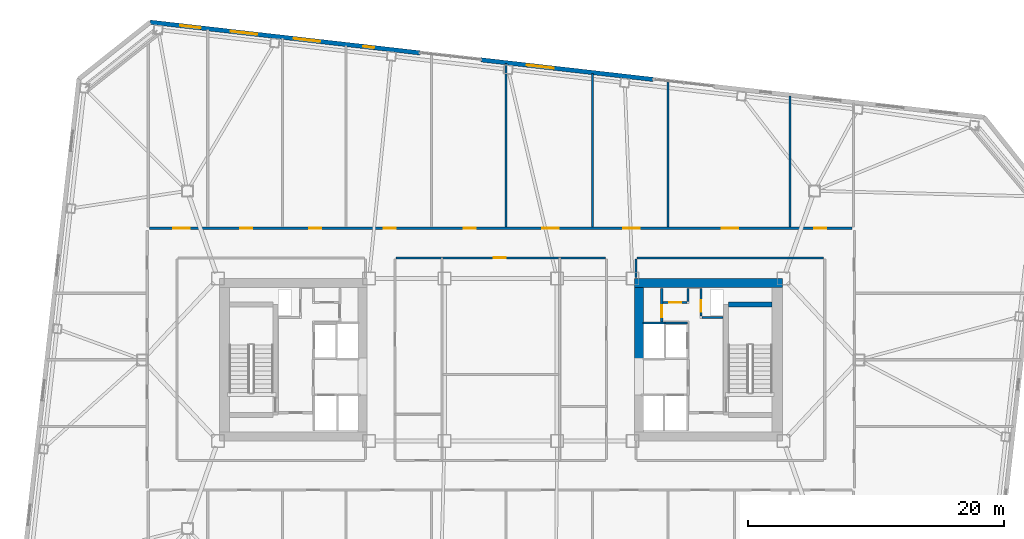
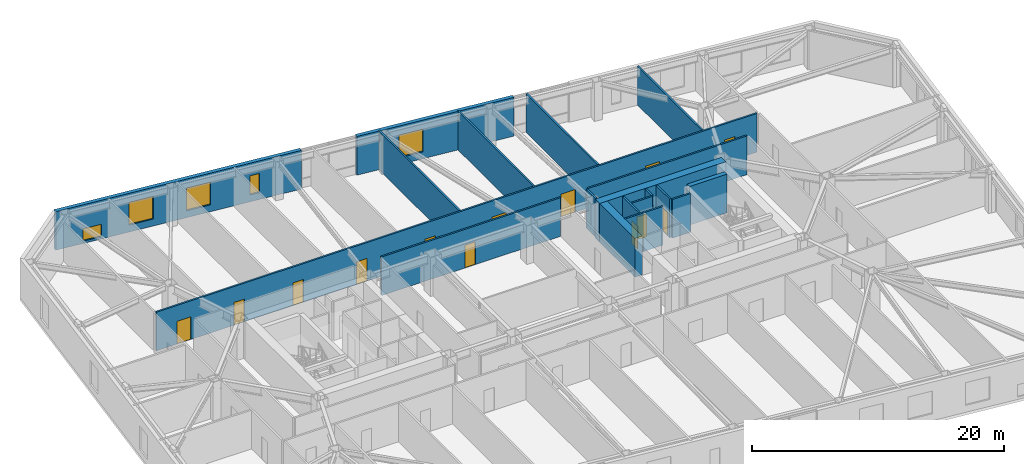
# One storey, part 14 of 21: 20 walls, 13 doors, 5 windows, 18 openings.
"""IFC4 building model written with IfcOpenShell, lengths in metres."""

from ifc_helpers import new_model, si_unit, direction, frame, frame_2d, origin, place, context, subcontext, project, spatial, rectangle, extrude, material, layer, layer_set, type_object, element, fill, save


model = new_model("IFC4")

# Units and contexts
model_context = context("Model", 3, precision=1e-05, world=origin(), true_north=direction((0.0, 1.0)))
body_context = subcontext(model_context, "Body", "Model", "MODEL_VIEW")
ifc_project = project(units=[si_unit("LENGTHUNIT", "METRE"), si_unit("AREAUNIT", "SQUARE_METRE"), si_unit("VOLUMEUNIT", "CUBIC_METRE"), si_unit("PLANEANGLEUNIT", "RADIAN"), si_unit("MASSUNIT", "GRAM", prefix="KILO")], contexts=[model_context])

# Site, building, storey
site_placement = place(None, origin())
site = spatial("IfcSite", under=ifc_project, at=site_placement, CompositionType="ELEMENT")
building_placement = place(site_placement, origin())
building = spatial("IfcBuilding", under=site, at=building_placement, Name="Tavrogorsk Clinical Tower", CompositionType="ELEMENT")
storey_placement = place(building_placement, frame((0.0, 0.0, 137.39990234375)))
storey = spatial("IfcBuildingStorey", under=building, at=storey_placement, Name="L31", CompositionType="ELEMENT", Elevation=137.39990234375)

# Wall, opening, door
ifc_material_1 = material(Name="Lightweight concrete blockwork B15", Category="masonry")
ifc_layer_1 = layer(ifc_material_1, 0.159912109375)
ifc_layer_set_1 = layer_set([ifc_layer_1], Name="Lightweight concrete blockwork B15")
wall_type_1 = type_object("IfcWallType", Name="PartitionWall_160", PredefinedType="PARTITIONING", material=ifc_layer_set_1)
wall_1_placement = place(storey_placement, frame((12.580078125, 2.9599609375, 0.0), z_axis=(0.0, 0.0, 1.0), x_axis=(0.0, 1.0, 0.0)))
wall_1 = element("IfcWall", 1, at=wall_1_placement, inside=storey, type_object=wall_type_1, Name="L31 Core East Linen Closet Wall", PredefinedType="PARTITIONING", context=body_context, shape_type="SweptSolid", body=[
    extrude(rectangle(XDim=2.60009765625, YDim=0.159912109375, at=frame_2d((1.300048828125, 0.0))), origin(), (0.0, 0.0, 1.0), 3.739990234375),
])
opening_1_placement = place(wall_1_placement, frame((0.35009765625, 0.0, 0.0)))
opening_1 = element("IfcOpeningElement", 2, at=opening_1_placement, cuts=wall_1, Name="Opening ID-02", PredefinedType="OPENING", context=body_context, shape_type="SweptSolid", body=[
    extrude(rectangle(XDim=0.949951171875, YDim=2.199951171875, at=frame_2d((0.47509765625, 1.10009765625))), frame((0.0, 0.08984375, 0.0), z_axis=(0.0, -1.0, 0.0), x_axis=(1.0, 0.0, 0.0)), (0.0, 0.0, 1.0), 0.179931640625),
])
ifc_material_2 = material(Name="Laminated timber leaf on aluminium frame", Category="wood")
door_type_1 = type_object("IfcDoorType", Name="InteriorDoor_ID02_950", OperationType="NOTDEFINED", PredefinedType="DOOR", material=ifc_material_2)
door_1_placement = place(opening_1_placement, origin())
door_1 = element("IfcDoor", 3, at=door_1_placement, inside=storey, type_object=door_type_1, Name="L31 Core East Linen Closet Door", OperationType="SINGLE_SWING_RIGHT", OverallHeight=2.199951171875, OverallWidth=0.949951171875, PredefinedType="DOOR", context=body_context, shape_type="SweptSolid", body=[
    extrude(rectangle(XDim=0.949951171875, YDim=2.199951171875, at=frame_2d((0.47509765625, 1.10009765625))), frame((0.0, 0.02490234375, 0.0), z_axis=(0.0, -1.0, 0.0), x_axis=(1.0, 0.0, 0.0)), (0.0, 0.0, 1.0), 0.050048828125),
])
fill(opening_1, door_1)

wall_2_placement = place(storey_placement, frame((12.6650390625, 4.47998046875, 0.0), z_axis=(0.0, 0.0, 1.0), x_axis=(1.0, 0.0, 0.0)))
wall_2 = element("IfcWall", 4, at=wall_2_placement, inside=storey, type_object=wall_type_1, Name="L31 Core East Housekeeping South Wall", PredefinedType="PARTITIONING", context=body_context, shape_type="SweptSolid", body=[
    extrude(rectangle(XDim=1.889892578125, YDim=0.159912109375, at=frame_2d((0.94482421875, 0.0))), origin(), (0.0, 0.0, 1.0), 3.739990234375),
])
opening_2_placement = place(wall_2_placement, frame((0.5, 0.0, 0.0)))
opening_2 = element("IfcOpeningElement", 5, at=opening_2_placement, cuts=wall_2, Name="Opening ID-02", PredefinedType="OPENING", context=body_context, shape_type="SweptSolid", body=[
    extrude(rectangle(XDim=0.949951171875, YDim=2.199951171875, at=frame_2d((0.47509765625, 1.10009765625))), frame((0.0, 0.08984375, 0.0), z_axis=(0.0, -1.0, 0.0), x_axis=(1.0, 0.0, 0.0)), (0.0, 0.0, 1.0), 0.179931640625),
])
door_2_placement = place(opening_2_placement, origin())
door_2 = element("IfcDoor", 6, at=door_2_placement, inside=storey, type_object=door_type_1, Name="L31 Core East Housekeeping Closet Door", OperationType="SINGLE_SWING_LEFT", OverallHeight=2.199951171875, OverallWidth=0.949951171875, PredefinedType="DOOR", context=body_context, shape_type="SweptSolid", body=[
    extrude(rectangle(XDim=0.949951171875, YDim=2.199951171875, at=frame_2d((0.47509765625, 1.10009765625))), frame((0.0, 0.02490234375, 0.0), z_axis=(0.0, -1.0, 0.0), x_axis=(1.0, 0.0, 0.0)), (0.0, 0.0, 1.0), 0.050048828125),
])
fill(opening_2, door_2)

# Wall
wall_3_placement = place(storey_placement, frame((14.639892578125, 4.56494140625, 0.0), z_axis=(0.0, 0.0, 1.0), x_axis=(0.0, 1.0, 0.0)))
element("IfcWall", 7, at=wall_3_placement, inside=storey, type_object=wall_type_1, Name="L31 Core East Housekeeping East Wall", PredefinedType="PARTITIONING", context=body_context, shape_type="SweptSolid", body=[
    extrude(rectangle(XDim=0.9951171875, YDim=0.159912109375, at=frame_2d((0.49755859375, 0.0))), origin(), (0.0, 0.0, 1.0), 3.739990234375),
])

# Wall, openings, doors
wall_4_placement = place(storey_placement, frame((-27.465087890625, 10.280029296875, 0.0), z_axis=(0.0, 0.0, 1.0), x_axis=(1.0, 0.0, 0.0)))
wall_4 = element("IfcWall", 8, at=wall_4_placement, inside=storey, type_object=wall_type_1, Name="L31 Corridor Partition 02", PredefinedType="PARTITIONING", context=body_context, shape_type="SweptSolid", body=[
    extrude(rectangle(XDim=54.93017578125, YDim=0.159912109375, at=frame_2d((27.465087890625, 0.0))), origin(), (0.0, 0.0, 1.0), 3.739990234375),
])
opening_3_placement = place(wall_4_placement, frame((1.869140625, 0.0, 0.0)))
opening_3 = element("IfcOpeningElement", 9, at=opening_3_placement, cuts=wall_4, Name="Opening ID-01", PredefinedType="OPENING", context=body_context, shape_type="SweptSolid", body=[
    extrude(rectangle(XDim=1.300048828125, YDim=2.199951171875, at=frame_2d((0.64990234375, 1.10009765625))), frame((0.0, 0.08984375, 0.0), z_axis=(0.0, -1.0, 0.0), x_axis=(1.0, 0.0, 0.0)), (0.0, 0.0, 1.0), 0.179931640625),
])
opening_4_placement = place(wall_4_placement, frame((7.10009765625, 0.0, 0.0)))
opening_4 = element("IfcOpeningElement", 10, at=opening_4_placement, cuts=wall_4, Name="Opening ID-02", PredefinedType="OPENING", context=body_context, shape_type="SweptSolid", body=[
    extrude(rectangle(XDim=0.949951171875, YDim=2.199951171875, at=frame_2d((0.47509765625, 1.10009765625))), frame((0.0, 0.08984375, 0.0), z_axis=(0.0, -1.0, 0.0), x_axis=(1.0, 0.0, 0.0)), (0.0, 0.0, 1.0), 0.179931640625),
])
opening_5_placement = place(wall_4_placement, frame((12.5, 0.0, 0.0)))
opening_5 = element("IfcOpeningElement", 11, at=opening_5_placement, cuts=wall_4, Name="Opening ID-02", PredefinedType="OPENING", context=body_context, shape_type="SweptSolid", body=[
    extrude(rectangle(XDim=0.949951171875, YDim=2.199951171875, at=frame_2d((0.47509765625, 1.10009765625))), frame((0.0, 0.08984375, 0.0), z_axis=(0.0, -1.0, 0.0), x_axis=(1.0, 0.0, 0.0)), (0.0, 0.0, 1.0), 0.179931640625),
])
opening_6_placement = place(wall_4_placement, frame((18.324951171875, 0.0, 0.0)))
opening_6 = element("IfcOpeningElement", 12, at=opening_6_placement, cuts=wall_4, Name="Opening ID-02", PredefinedType="OPENING", context=body_context, shape_type="SweptSolid", body=[
    extrude(rectangle(XDim=0.949951171875, YDim=2.199951171875, at=frame_2d((0.47509765625, 1.10009765625))), frame((0.0, 0.08984375, 0.0), z_axis=(0.0, -1.0, 0.0), x_axis=(1.0, 0.0, 0.0)), (0.0, 0.0, 1.0), 0.179931640625),
])
opening_7_placement = place(wall_4_placement, frame((24.574951171875, 0.0, 0.0)))
opening_7 = element("IfcOpeningElement", 13, at=opening_7_placement, cuts=wall_4, Name="Opening ID-02", PredefinedType="OPENING", context=body_context, shape_type="SweptSolid", body=[
    extrude(rectangle(XDim=0.949951171875, YDim=2.199951171875, at=frame_2d((0.47509765625, 1.10009765625))), frame((0.0, 0.08984375, 0.0), z_axis=(0.0, -1.0, 0.0), x_axis=(1.0, 0.0, 0.0)), (0.0, 0.0, 1.0), 0.179931640625),
])
opening_8_placement = place(wall_4_placement, frame((30.68994140625, 0.0, 0.0)))
opening_8 = element("IfcOpeningElement", 14, at=opening_8_placement, cuts=wall_4, Name="Opening ID-01", PredefinedType="OPENING", context=body_context, shape_type="SweptSolid", body=[
    extrude(rectangle(XDim=1.300048828125, YDim=2.199951171875, at=frame_2d((0.64990234375, 1.10009765625))), frame((0.0, 0.08984375, 0.0), z_axis=(0.0, -1.0, 0.0), x_axis=(1.0, 0.0, 0.0)), (0.0, 0.0, 1.0), 0.179931640625),
])
opening_9_placement = place(wall_4_placement, frame((37.02001953125, 0.0, 0.0)))
opening_9 = element("IfcOpeningElement", 15, at=opening_9_placement, cuts=wall_4, Name="Opening ID-01", PredefinedType="OPENING", context=body_context, shape_type="SweptSolid", body=[
    extrude(rectangle(XDim=1.300048828125, YDim=2.199951171875, at=frame_2d((0.64990234375, 1.10009765625))), frame((0.0, 0.08984375, 0.0), z_axis=(0.0, -1.0, 0.0), x_axis=(1.0, 0.0, 0.0)), (0.0, 0.0, 1.0), 0.179931640625),
])
opening_10_placement = place(wall_4_placement, frame((44.72998046875, 0.0, 0.0)))
opening_10 = element("IfcOpeningElement", 16, at=opening_10_placement, cuts=wall_4, Name="Opening ID-01", PredefinedType="OPENING", context=body_context, shape_type="SweptSolid", body=[
    extrude(rectangle(XDim=1.300048828125, YDim=2.199951171875, at=frame_2d((0.64990234375, 1.10009765625))), frame((0.0, 0.08984375, 0.0), z_axis=(0.0, -1.0, 0.0), x_axis=(1.0, 0.0, 0.0)), (0.0, 0.0, 1.0), 0.179931640625),
])
opening_11_placement = place(wall_4_placement, frame((51.955810546875, 0.0, 0.0)))
opening_11 = element("IfcOpeningElement", 17, at=opening_11_placement, cuts=wall_4, Name="Opening ID-02", PredefinedType="OPENING", context=body_context, shape_type="SweptSolid", body=[
    extrude(rectangle(XDim=0.949951171875, YDim=2.199951171875, at=frame_2d((0.47509765625, 1.10009765625))), frame((0.0, 0.08984375, 0.0), z_axis=(0.0, -1.0, 0.0), x_axis=(1.0, 0.0, 0.0)), (0.0, 0.0, 1.0), 0.179931640625),
])
door_3_placement = place(opening_4_placement, origin())
door_3 = element("IfcDoor", 18, at=door_3_placement, inside=storey, type_object=door_type_1, Name="L31 North Physician Consultation Office 02A Door", OperationType="SINGLE_SWING_RIGHT", OverallHeight=2.199951171875, OverallWidth=0.949951171875, PredefinedType="DOOR", context=body_context, shape_type="SweptSolid", body=[
    extrude(rectangle(XDim=0.949951171875, YDim=2.199951171875, at=frame_2d((0.47509765625, 1.10009765625))), frame((0.0, 0.02490234375, 0.0), z_axis=(0.0, -1.0, 0.0), x_axis=(1.0, 0.0, 0.0)), (0.0, 0.0, 1.0), 0.050048828125),
])
fill(opening_4, door_3)
door_4_placement = place(opening_5_placement, origin())
door_4 = element("IfcDoor", 19, at=door_4_placement, inside=storey, type_object=door_type_1, Name="L31 North Diagnostic Ultrasound Suite 02B Door", OperationType="SINGLE_SWING_LEFT", OverallHeight=2.199951171875, OverallWidth=0.949951171875, PredefinedType="DOOR", context=body_context, shape_type="SweptSolid", body=[
    extrude(rectangle(XDim=0.949951171875, YDim=2.199951171875, at=frame_2d((0.47509765625, 1.10009765625))), frame((0.0, 0.02490234375, 0.0), z_axis=(0.0, -1.0, 0.0), x_axis=(1.0, 0.0, 0.0)), (0.0, 0.0, 1.0), 0.050048828125),
])
fill(opening_5, door_4)
door_5_placement = place(opening_6_placement, origin())
door_5 = element("IfcDoor", 20, at=door_5_placement, inside=storey, type_object=door_type_1, Name="L31 North Patient & Family Quiet Lounge 03A Door", OperationType="SINGLE_SWING_RIGHT", OverallHeight=2.199951171875, OverallWidth=0.949951171875, PredefinedType="DOOR", context=body_context, shape_type="SweptSolid", body=[
    extrude(rectangle(XDim=0.949951171875, YDim=2.199951171875, at=frame_2d((0.47509765625, 1.10009765625))), frame((0.0, 0.02490234375, 0.0), z_axis=(0.0, -1.0, 0.0), x_axis=(1.0, 0.0, 0.0)), (0.0, 0.0, 1.0), 0.050048828125),
])
fill(opening_6, door_5)
door_6_placement = place(opening_7_placement, origin())
door_6 = element("IfcDoor", 21, at=door_6_placement, inside=storey, type_object=door_type_1, Name="L31 North Physiotherapy Rehab Studio 03B Door", OperationType="SINGLE_SWING_LEFT", OverallHeight=2.199951171875, OverallWidth=0.949951171875, PredefinedType="DOOR", context=body_context, shape_type="SweptSolid", body=[
    extrude(rectangle(XDim=0.949951171875, YDim=2.199951171875, at=frame_2d((0.47509765625, 1.10009765625))), frame((0.0, 0.02490234375, 0.0), z_axis=(0.0, -1.0, 0.0), x_axis=(1.0, 0.0, 0.0)), (0.0, 0.0, 1.0), 0.050048828125),
])
fill(opening_7, door_6)
door_7_placement = place(opening_11_placement, origin())
door_7 = element("IfcDoor", 22, at=door_7_placement, inside=storey, type_object=door_type_1, Name="L31 North Multidisciplinary Case Room 06 Door", OperationType="SINGLE_SWING_LEFT", OverallHeight=2.199951171875, OverallWidth=0.949951171875, PredefinedType="DOOR", context=body_context, shape_type="SweptSolid", body=[
    extrude(rectangle(XDim=0.949951171875, YDim=2.199951171875, at=frame_2d((0.47509765625, 1.10009765625))), frame((0.0, 0.02490234375, 0.0), z_axis=(0.0, -1.0, 0.0), x_axis=(1.0, 0.0, 0.0)), (0.0, 0.0, 1.0), 0.050048828125),
])
fill(opening_11, door_7)
ifc_material_3 = material(Name="Antibacterial HPL medical leaf on aluminium frame", Category="aluminium")
door_type_2 = type_object("IfcDoorType", Name="WardBedDoor_ID01_1300", OperationType="NOTDEFINED", PredefinedType="DOOR", material=ifc_material_3)
door_8_placement = place(opening_3_placement, origin())
door_8 = element("IfcDoor", 23, at=door_8_placement, inside=storey, type_object=door_type_2, Name="L31 North Step-Down Telemetry Ward 01 Door", OperationType="SINGLE_SWING_LEFT", OverallHeight=2.199951171875, OverallWidth=1.300048828125, PredefinedType="DOOR", context=body_context, shape_type="SweptSolid", body=[
    extrude(rectangle(XDim=1.300048828125, YDim=2.199951171875, at=frame_2d((0.64990234375, 1.10009765625))), frame((0.0, 0.02490234375, 0.0), z_axis=(0.0, -1.0, 0.0), x_axis=(1.0, 0.0, 0.0)), (0.0, 0.0, 1.0), 0.050048828125),
])
fill(opening_3, door_8)
door_9_placement = place(opening_8_placement, origin())
door_9 = element("IfcDoor", 24, at=door_9_placement, inside=storey, type_object=door_type_2, Name="L31 North Acute Isolation Suite 04A Door", OperationType="SINGLE_SWING_RIGHT", OverallHeight=2.199951171875, OverallWidth=1.300048828125, PredefinedType="DOOR", context=body_context, shape_type="SweptSolid", body=[
    extrude(rectangle(XDim=1.300048828125, YDim=2.199951171875, at=frame_2d((0.64990234375, 1.10009765625))), frame((0.0, 0.02490234375, 0.0), z_axis=(0.0, -1.0, 0.0), x_axis=(1.0, 0.0, 0.0)), (0.0, 0.0, 1.0), 0.050048828125),
])
fill(opening_8, door_9)
door_10_placement = place(opening_9_placement, origin())
door_10 = element("IfcDoor", 25, at=door_10_placement, inside=storey, type_object=door_type_2, Name="L31 North Step-Down Telemetry Ward 04B Door", OperationType="SINGLE_SWING_LEFT", OverallHeight=2.199951171875, OverallWidth=1.300048828125, PredefinedType="DOOR", context=body_context, shape_type="SweptSolid", body=[
    extrude(rectangle(XDim=1.300048828125, YDim=2.199951171875, at=frame_2d((0.64990234375, 1.10009765625))), frame((0.0, 0.02490234375, 0.0), z_axis=(0.0, -1.0, 0.0), x_axis=(1.0, 0.0, 0.0)), (0.0, 0.0, 1.0), 0.050048828125),
])
fill(opening_9, door_10)
door_11_placement = place(opening_10_placement, origin())
door_11 = element("IfcDoor", 26, at=door_11_placement, inside=storey, type_object=door_type_2, Name="L31 North Sub-Acute Recovery Ward 05 Door", OperationType="SINGLE_SWING_RIGHT", OverallHeight=2.199951171875, OverallWidth=1.300048828125, PredefinedType="DOOR", context=body_context, shape_type="SweptSolid", body=[
    extrude(rectangle(XDim=1.300048828125, YDim=2.199951171875, at=frame_2d((0.64990234375, 1.10009765625))), frame((0.0, 0.02490234375, 0.0), z_axis=(0.0, -1.0, 0.0), x_axis=(1.0, 0.0, 0.0)), (0.0, 0.0, 1.0), 0.050048828125),
])
fill(opening_10, door_11)

# Walls
wall_5_placement = place(storey_placement, frame((25.235107421875, 7.969970703125, 0.0), z_axis=(0.0, 0.0, 1.0), x_axis=(-1.0, 0.0, 0.0)))
element("IfcWall", 27, at=wall_5_placement, inside=storey, type_object=wall_type_1, Name="L31 Corridor Partition 05", PredefinedType="PARTITIONING", context=body_context, shape_type="SweptSolid", body=[
    extrude(rectangle(XDim=14.570068359375, YDim=0.159912109375, at=frame_2d((7.28515625, 0.0))), origin(), (0.0, 0.0, 1.0), 3.739990234375),
])
wall_6_placement = place(storey_placement, frame((10.580078125, 7.885009765625, 0.0), z_axis=(0.0, 0.0, 1.0), x_axis=(0.0, -1.0, 0.0)))
element("IfcWall", 28, at=wall_6_placement, inside=storey, type_object=wall_type_1, Name="L31 Corridor Partition 06", PredefinedType="PARTITIONING", context=body_context, shape_type="SweptSolid", body=[
    extrude(rectangle(XDim=1.465087890625, YDim=0.159912109375, at=frame_2d((0.732421875, 0.0))), origin(), (0.0, 0.0, 1.0), 3.739990234375),
])

# Wall, opening, door
wall_7_placement = place(storey_placement, frame((8.18505859375, 7.969970703125, 0.0), z_axis=(0.0, 0.0, 1.0), x_axis=(-1.0, 0.0, 0.0)))
wall_7 = element("IfcWall", 29, at=wall_7_placement, inside=storey, type_object=wall_type_1, Name="L31 Corridor Partition 11", PredefinedType="PARTITIONING", context=body_context, shape_type="SweptSolid", body=[
    extrude(rectangle(XDim=16.3701171875, YDim=0.159912109375, at=frame_2d((8.18505859375, 0.0))), origin(), (0.0, 0.0, 1.0), 3.739990234375),
])
opening_12_placement = place(wall_7_placement, frame((7.794921875, 0.0, 0.0)))
opening_12 = element("IfcOpeningElement", 30, at=opening_12_placement, cuts=wall_7, Name="Opening ID-02", PredefinedType="OPENING", context=body_context, shape_type="SweptSolid", body=[
    extrude(rectangle(XDim=0.949951171875, YDim=2.199951171875, at=frame_2d((0.47509765625, 1.10009765625))), frame((0.0, 0.08984375, 0.0), z_axis=(0.0, -1.0, 0.0), x_axis=(1.0, 0.0, 0.0)), (0.0, 0.0, 1.0), 0.179931640625),
])
door_12_placement = place(opening_12_placement, origin())
door_12 = element("IfcDoor", 31, at=door_12_placement, inside=storey, type_object=door_type_1, Name="L31 Nurses' Station & Triage Hub Door", OperationType="SINGLE_SWING_LEFT", OverallHeight=2.199951171875, OverallWidth=0.949951171875, PredefinedType="DOOR", context=body_context, shape_type="SweptSolid", body=[
    extrude(rectangle(XDim=0.949951171875, YDim=2.199951171875, at=frame_2d((0.47509765625, 1.10009765625))), frame((0.0, 0.02490234375, 0.0), z_axis=(0.0, -1.0, 0.0), x_axis=(1.0, 0.0, 0.0)), (0.0, 0.0, 1.0), 0.050048828125),
])
fill(opening_12, door_12)

# Walls
wall_8_placement = place(storey_placement, frame((0.39990234375, 10.364990234375, 0.0), z_axis=(0.0, 0.0, 1.0), x_axis=(0.0, 1.0, 0.0)))
element("IfcWall", 32, at=wall_8_placement, inside=storey, type_object=wall_type_1, Name="L31 North Room Partition 3", PredefinedType="PARTITIONING", context=body_context, shape_type="SweptSolid", body=[
    extrude(rectangle(XDim=12.78173828125, YDim=0.159912109375, at=frame_2d((6.390869140625, 0.0))), origin(), (0.0, 0.0, 1.0), 3.739990234375),
])
wall_9_placement = place(storey_placement, frame((13.06005859375, 10.364990234375, 0.0), z_axis=(0.0, 0.0, 1.0), x_axis=(0.0, 1.0, 0.0)))
element("IfcWall", 33, at=wall_9_placement, inside=storey, type_object=wall_type_1, Name="L31 North Room Partition 4", PredefinedType="PARTITIONING", context=body_context, shape_type="SweptSolid", body=[
    extrude(rectangle(XDim=11.33935546875, YDim=0.159912109375, at=frame_2d((5.669677734375, 0.0))), origin(), (0.0, 0.0, 1.0), 3.739990234375),
])
wall_10_placement = place(storey_placement, frame((22.60009765625, 10.364990234375, 0.0), z_axis=(0.0, 0.0, 1.0), x_axis=(0.0, 1.0, 0.0)))
element("IfcWall", 34, at=wall_10_placement, inside=storey, type_object=wall_type_1, Name="L31 North Room Partition 5", PredefinedType="PARTITIONING", context=body_context, shape_type="SweptSolid", body=[
    extrude(rectangle(XDim=10.25244140625, YDim=0.159912109375, at=frame_2d((5.126220703125, 0.0))), origin(), (0.0, 0.0, 1.0), 3.739990234375),
])
wall_11_placement = place(storey_placement, frame((7.179931640625, 10.364990234375, 0.0), z_axis=(0.0, 0.0, 1.0), x_axis=(0.0, 1.0, 0.0)))
element("IfcWall", 35, at=wall_11_placement, inside=storey, type_object=wall_type_1, Name="L31 North Sub-Partition 4", PredefinedType="PARTITIONING", context=body_context, shape_type="SweptSolid", body=[
    extrude(rectangle(XDim=12.00927734375, YDim=0.159912109375, at=frame_2d((6.004638671875, 0.0))), origin(), (0.0, 0.0, 1.0), 3.739990234375),
])

# Wall, opening, window
ifc_material_4 = material(Name="Precast concrete B45 with limestone cladding", Category="masonry")
ifc_layer_2 = layer(ifc_material_4, 0.340087890625)
ifc_layer_set_2 = layer_set([ifc_layer_2], Name="Precast concrete B45 with limestone cladding")
wall_type_2 = type_object("IfcWallType", Name="PrecastLimestoneWall_340", PredefinedType="STANDARD", material=ifc_layer_set_2)
wall_12_placement = place(storey_placement, frame((11.921875, 21.904541015625, 0.0), z_axis=(0.0, 0.0, 1.0), x_axis=(-0.993571685551, 0.11320470693, 0.0)))
wall_12 = element("IfcWall", 36, at=wall_12_placement, inside=storey, type_object=wall_type_2, Name="L31 N Limestone Facade Wall 2", PredefinedType="STANDARD", context=body_context, shape_type="SweptSolid", body=[
    extrude(rectangle(XDim=13.554443359375, YDim=0.340087890625, at=frame_2d((6.77734375, 0.0))), origin(), (0.0, 0.0, 1.0), 3.739990234375),
])
opening_13_placement = place(wall_12_placement, frame((7.837890625, 0.0, 0.669921875)))
opening_13 = element("IfcOpeningElement", 37, at=opening_13_placement, cuts=wall_12, Name="Opening WN-03", PredefinedType="OPENING", context=body_context, shape_type="SweptSolid", body=[
    extrude(rectangle(XDim=2.10009765625, YDim=2.199951171875, at=frame_2d((1.050048828125, 1.10009765625))), frame((0.0, 0.179931640625, 0.0), z_axis=(0.0, -1.0, 0.0), x_axis=(1.0, 0.0, 0.0)), (0.0, 0.0, 1.0), 0.360107421875),
])
ifc_material_5 = material(Name="Thermally broken aluminium frame and triple IGU", Category="aluminium")
window_type_1 = type_object("IfcWindowType", Name="PatientTwinWin_2100x2200", PartitioningType="DOUBLE_PANEL_VERTICAL", PredefinedType="WINDOW", material=ifc_material_5)
window_1_placement = place(opening_13_placement, origin())
window_1 = element("IfcWindow", 38, at=window_1_placement, inside=storey, type_object=window_type_1, Name="L31 N Chicago Window 05", OverallHeight=2.199951171875, OverallWidth=2.10009765625, PartitioningType="SINGLE_PANEL", PredefinedType="WINDOW", context=body_context, shape_type="SweptSolid", body=[
    extrude(rectangle(XDim=2.10009765625, YDim=2.199951171875, at=frame_2d((1.050048828125, 1.10009765625))), frame((0.0, 0.030029296875, 0.0), z_axis=(0.0, -1.0, 0.0), x_axis=(1.0, 0.0, 0.0)), (0.0, 0.0, 1.0), 0.06005859375),
])
fill(opening_13, window_1)

# Wall, openings, windows
wall_13_placement = place(storey_placement, frame((-6.314453125, 23.982177734375, 0.0), z_axis=(0.0, 0.0, 1.0), x_axis=(-0.993571362037, 0.113207546299, 0.0)))
wall_13 = element("IfcWall", 39, at=wall_13_placement, inside=storey, type_object=wall_type_2, Name="L31 N Limestone Facade Wall 3", PredefinedType="STANDARD", context=body_context, shape_type="SweptSolid", body=[
    extrude(rectangle(XDim=21.222900390625, YDim=0.340087890625, at=frame_2d((10.611328125, 0.0))), origin(), (0.0, 0.0, 1.0), 3.739990234375),
])
opening_14_placement = place(wall_13_placement, frame((17.264892578125, 0.0, 0.219970703125)))
opening_14 = element("IfcOpeningElement", 40, at=opening_14_placement, cuts=wall_13, Name="Opening WN-09", PredefinedType="OPENING", context=body_context, shape_type="SweptSolid", body=[
    extrude(rectangle(XDim=1.60009765625, YDim=1.199951171875, at=frame_2d((0.800048828125, 0.60009765625))), frame((0.0, 0.179931640625, 0.0), z_axis=(0.0, -1.0, 0.0), x_axis=(1.0, 0.0, 0.0)), (0.0, 0.0, 1.0), 0.360107421875),
])
opening_15_placement = place(wall_13_placement, frame((12.793701171875, 0.0, 0.669921875)))
opening_15 = element("IfcOpeningElement", 41, at=opening_15_placement, cuts=wall_13, Name="Opening WN-03", PredefinedType="OPENING", context=body_context, shape_type="SweptSolid", body=[
    extrude(rectangle(XDim=2.10009765625, YDim=2.199951171875, at=frame_2d((1.050048828125, 1.10009765625))), frame((0.0, 0.179931640625, 0.0), z_axis=(0.0, -1.0, 0.0), x_axis=(1.0, 0.0, 0.0)), (0.0, 0.0, 1.0), 0.360107421875),
])
opening_16_placement = place(wall_13_placement, frame((7.837890625, 0.0, 0.669921875)))
opening_16 = element("IfcOpeningElement", 42, at=opening_16_placement, cuts=wall_13, Name="Opening WN-03", PredefinedType="OPENING", context=body_context, shape_type="SweptSolid", body=[
    extrude(rectangle(XDim=2.10009765625, YDim=2.199951171875, at=frame_2d((1.050048828125, 1.10009765625))), frame((0.0, 0.179931640625, 0.0), z_axis=(0.0, -1.0, 0.0), x_axis=(1.0, 0.0, 0.0)), (0.0, 0.0, 1.0), 0.360107421875),
])
opening_17_placement = place(wall_13_placement, frame((3.616455078125, 0.0, 0.669921875)))
opening_17 = element("IfcOpeningElement", 43, at=opening_17_placement, cuts=wall_13, Name="Opening WN-06", PredefinedType="OPENING", context=body_context, shape_type="SweptSolid", body=[
    extrude(rectangle(XDim=0.85009765625, YDim=1.85009765625, at=frame_2d((0.425048828125, 0.925048828125))), frame((0.0, 0.179931640625, 0.0), z_axis=(0.0, -1.0, 0.0), x_axis=(1.0, 0.0, 0.0)), (0.0, 0.0, 1.0), 0.360107421875),
])
ifc_material_6 = material(Name="Thermally broken aluminium frame and triple IGU", Category="aluminium")
window_type_2 = type_object("IfcWindowType", Name="LowHeadTransWin_1600x1200", PartitioningType="DOUBLE_PANEL_VERTICAL", PredefinedType="WINDOW", material=ifc_material_6)
window_2_placement = place(opening_14_placement, origin())
window_2 = element("IfcWindow", 44, at=window_2_placement, inside=storey, type_object=window_type_2, Name="L31 N Chicago Window 01", OverallHeight=1.199951171875, OverallWidth=1.60009765625, PartitioningType="SINGLE_PANEL", PredefinedType="WINDOW", context=body_context, shape_type="SweptSolid", body=[
    extrude(rectangle(XDim=1.60009765625, YDim=1.199951171875, at=frame_2d((0.800048828125, 0.60009765625))), frame((0.0, 0.030029296875, 0.0), z_axis=(0.0, -1.0, 0.0), x_axis=(1.0, 0.0, 0.0)), (0.0, 0.0, 1.0), 0.06005859375),
])
fill(opening_14, window_2)
ifc_material_7 = material(Name="Thermally broken aluminium frame and triple IGU", Category="aluminium")
window_type_3 = type_object("IfcWindowType", Name="MullionSubWin_850x1850", PartitioningType="SINGLE_PANEL", PredefinedType="WINDOW", material=ifc_material_7)
window_3_placement = place(opening_17_placement, origin())
window_3 = element("IfcWindow", 45, at=window_3_placement, inside=storey, type_object=window_type_3, Name="L31 N Mullion Split Window 04A", OverallHeight=1.85009765625, OverallWidth=0.85009765625, PartitioningType="SINGLE_PANEL", PredefinedType="WINDOW", context=body_context, shape_type="SweptSolid", body=[
    extrude(rectangle(XDim=0.85009765625, YDim=1.85009765625, at=frame_2d((0.425048828125, 0.925048828125))), frame((0.0, 0.030029296875, 0.0), z_axis=(0.0, -1.0, 0.0), x_axis=(1.0, 0.0, 0.0)), (0.0, 0.0, 1.0), 0.06005859375),
])
fill(opening_17, window_3)
window_4_placement = place(opening_15_placement, origin())
window_4 = element("IfcWindow", 46, at=window_4_placement, inside=storey, type_object=window_type_1, Name="L31 N Chicago Window 02", OverallHeight=2.199951171875, OverallWidth=2.10009765625, PartitioningType="SINGLE_PANEL", PredefinedType="WINDOW", context=body_context, shape_type="SweptSolid", body=[
    extrude(rectangle(XDim=2.10009765625, YDim=2.199951171875, at=frame_2d((1.050048828125, 1.10009765625))), frame((0.0, 0.030029296875, 0.0), z_axis=(0.0, -1.0, 0.0), x_axis=(1.0, 0.0, 0.0)), (0.0, 0.0, 1.0), 0.06005859375),
])
fill(opening_15, window_4)
window_5_placement = place(opening_16_placement, origin())
window_5 = element("IfcWindow", 47, at=window_5_placement, inside=storey, type_object=window_type_1, Name="L31 N Chicago Window 03", OverallHeight=2.199951171875, OverallWidth=2.10009765625, PartitioningType="SINGLE_PANEL", PredefinedType="WINDOW", context=body_context, shape_type="SweptSolid", body=[
    extrude(rectangle(XDim=2.10009765625, YDim=2.199951171875, at=frame_2d((1.050048828125, 1.10009765625))), frame((0.0, 0.030029296875, 0.0), z_axis=(0.0, -1.0, 0.0), x_axis=(1.0, 0.0, 0.0)), (0.0, 0.0, 1.0), 0.06005859375),
])
fill(opening_16, window_5)

# Walls
ifc_material_8 = material(Name="Lightweight concrete blockwork B25", Category="masonry")
ifc_layer_3 = layer(ifc_material_8, 0.159912109375)
ifc_layer_set_3 = layer_set([ifc_layer_3], Name="Lightweight concrete blockwork B25")
wall_type_3 = type_object("IfcWallType", Name="ShaftWall_160", PredefinedType="PARTITIONING", material=ifc_layer_set_3)
wall_14_placement = place(storey_placement, frame((12.840087890625, 2.8798828125, 0.0), z_axis=(0.0, 0.0, 1.0), x_axis=(1.0, 0.0, 0.0)))
element("IfcWall", 48, at=wall_14_placement, inside=storey, type_object=wall_type_3, Name="L31 FFL-E Shaft North Wall", PredefinedType="PARTITIONING", context=body_context, shape_type="SweptSolid", body=[
    extrude(rectangle(XDim=1.760009765625, YDim=0.159912109375, at=frame_2d((0.8798828125, 0.0))), origin(), (0.0, 0.0, 1.0), 3.739990234375),
])
wall_15_placement = place(storey_placement, frame((11.10009765625, 2.860107421875, 0.0), z_axis=(0.0, 0.0, 1.0), x_axis=(1.0, 0.0, 0.0)))
element("IfcWall", 49, at=wall_15_placement, inside=storey, type_object=wall_type_3, Name="L31 LP-H2 High-Zone Lift Rear Wall", PredefinedType="PARTITIONING", context=body_context, shape_type="SweptSolid", body=[
    extrude(rectangle(XDim=1.719970703125, YDim=0.159912109375, at=frame_2d((0.85986328125, 0.0))), origin(), (0.0, 0.0, 1.0), 3.739990234375),
])

# Wall, opening, door
wall_16_placement = place(storey_placement, frame((15.639892578125, 3.405029296875, 0.0), z_axis=(0.0, 0.0, 1.0), x_axis=(0.0, 1.0, 0.0)))
wall_16 = element("IfcWall", 50, at=wall_16_placement, inside=storey, type_object=wall_type_3, Name="L31 Core East Riser West Wall", PredefinedType="PARTITIONING", context=body_context, shape_type="SweptSolid", body=[
    extrude(rectangle(XDim=2.155029296875, YDim=0.159912109375, at=frame_2d((1.07763671875, 0.0))), origin(), (0.0, 0.0, 1.0), 3.739990234375),
])
opening_18_placement = place(wall_16_placement, frame((0.35009765625, 0.0, 0.0)))
opening_18 = element("IfcOpeningElement", 51, at=opening_18_placement, cuts=wall_16, Name="Opening FD-02", PredefinedType="OPENING", context=body_context, shape_type="SweptSolid", body=[
    extrude(rectangle(XDim=0.89990234375, YDim=2.199951171875, at=frame_2d((0.449951171875, 1.10009765625))), frame((0.0, 0.08984375, 0.0), z_axis=(0.0, -1.0, 0.0), x_axis=(1.0, 0.0, 0.0)), (0.0, 0.0, 1.0), 0.179931640625),
])
ifc_material_9 = material(Name="Galvanised steel fire-rated door assembly", Category="steel")
door_type_3 = type_object("IfcDoorType", Name="FireDoor_FD02_900", OperationType="NOTDEFINED", PredefinedType="DOOR", material=ifc_material_9)
door_13_placement = place(opening_18_placement, origin())
door_13 = element("IfcDoor", 52, at=door_13_placement, inside=storey, type_object=door_type_3, Name="L31 Core East Electrical Riser Access Door", OperationType="SINGLE_SWING_RIGHT", OverallHeight=2.199951171875, OverallWidth=0.89990234375, PredefinedType="DOOR", context=body_context, shape_type="SweptSolid", body=[
    extrude(rectangle(XDim=0.89990234375, YDim=2.199951171875, at=frame_2d((0.449951171875, 1.10009765625))), frame((0.0, 0.02490234375, 0.0), z_axis=(0.0, -1.0, 0.0), x_axis=(1.0, 0.0, 0.0)), (0.0, 0.0, 1.0), 0.050048828125),
])
fill(opening_18, door_13)

# Walls
wall_17_placement = place(storey_placement, frame((15.72509765625, 3.320068359375, 0.0), z_axis=(0.0, 0.0, 1.0), x_axis=(1.0, 0.0, 0.0)))
element("IfcWall", 53, at=wall_17_placement, inside=storey, type_object=wall_type_3, Name="L31 Core East Riser South Wall", PredefinedType="PARTITIONING", context=body_context, shape_type="SweptSolid", body=[
    extrude(rectangle(XDim=1.65478515625, YDim=0.159912109375, at=frame_2d((0.827392578125, 0.0))), origin(), (0.0, 0.0, 1.0), 3.739990234375),
])
ifc_material_10 = material(Name="Concrete B80", Category="concrete")
ifc_layer_4 = layer(ifc_material_10, 0.39990234375)
ifc_layer_set_4 = layer_set([ifc_layer_4], Name="Concrete B80")
wall_type_4 = type_object("IfcWallType", Name="ShearWall_400", PredefinedType="SHEAR", material=ifc_layer_set_4)
wall_18_placement = place(storey_placement, frame((17.800048828125, 4.324951171875, 0.0), z_axis=(0.0, 0.0, 1.0), x_axis=(1.0, 0.0, 0.0)))
element("IfcWall", 54, at=wall_18_placement, inside=storey, type_object=wall_type_4, Name="L31 Core East Stair Shaft North Shear Wall", PredefinedType="SHEAR", context=body_context, shape_type="SweptSolid", body=[
    extrude(rectangle(XDim=3.39990234375, YDim=0.39990234375, at=frame_2d((1.699951171875, 0.0))), origin(), (0.0, 0.0, 1.0), 3.739990234375),
])
ifc_material_11 = material(Name="Concrete B80", Category="concrete")
ifc_layer_5 = layer(ifc_material_11, 0.699951171875)
ifc_layer_set_5 = layer_set([ifc_layer_5], Name="Concrete B80")
wall_type_5 = type_object("IfcWallType", Name="ShearWall_700", PredefinedType="SHEAR", material=ifc_layer_set_5)
wall_19_placement = place(storey_placement, frame((10.449951171875, 6.0, 0.0), z_axis=(0.0, 0.0, 1.0), x_axis=(1.0, 0.0, 0.0)))
element("IfcWall", 55, at=wall_19_placement, inside=storey, type_object=wall_type_5, Name="L31 Core East North Shear Wall", PredefinedType="SHEAR", context=body_context, shape_type="SweptSolid", body=[
    extrude(rectangle(XDim=11.550048828125, YDim=0.699951171875, at=frame_2d((5.77490234375, 0.0))), origin(), (0.0, 0.0, 1.0), 3.739990234375),
])
wall_20_placement = place(storey_placement, frame((10.800048828125, 0.050048828125, 0.0), z_axis=(0.0, 0.0, 1.0), x_axis=(0.0, 1.0, 0.0)))
element("IfcWall", 56, at=wall_20_placement, inside=storey, type_object=wall_type_5, Name="L31 Core East Inner North Pier", PredefinedType="SHEAR", context=body_context, shape_type="SweptSolid", body=[
    extrude(rectangle(XDim=5.599853515625, YDim=0.699951171875, at=frame_2d((2.7998046875, 0.0))), origin(), (0.0, 0.0, 1.0), 3.739990234375),
])

save(model, "model.ifc")
